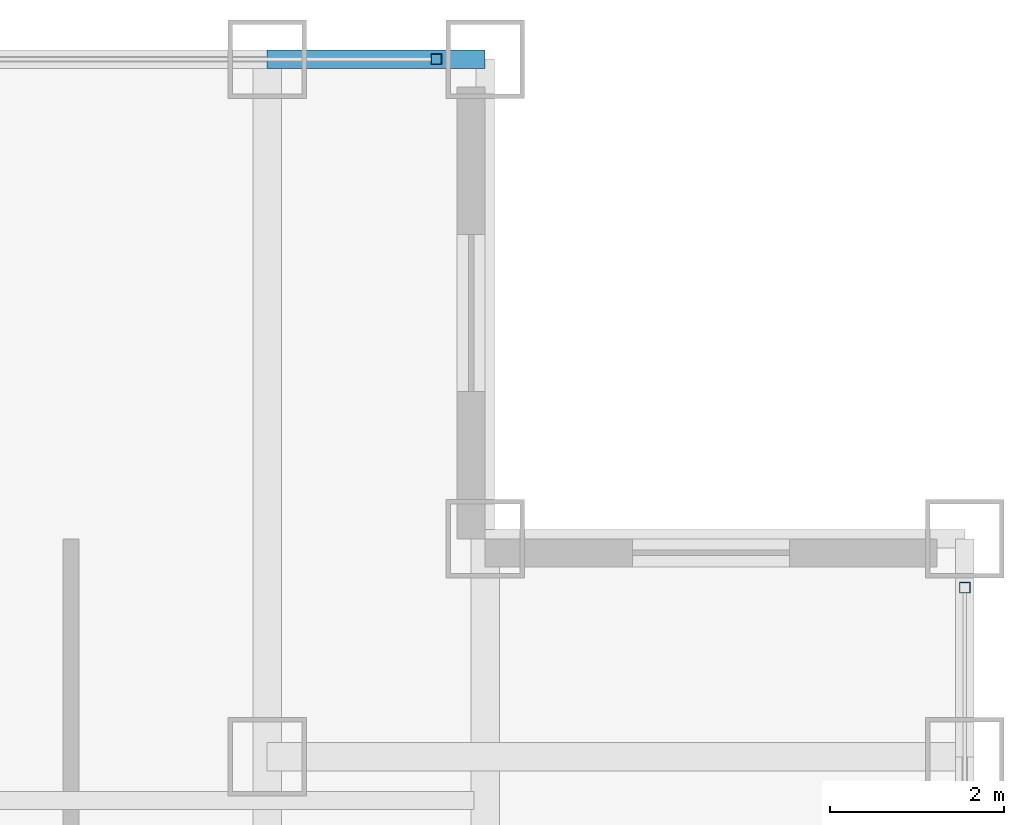
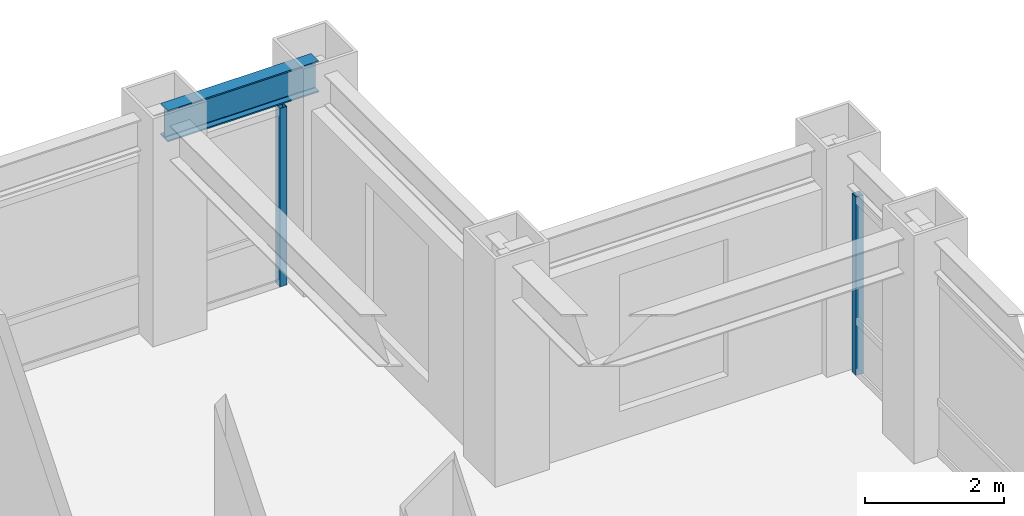
# One storey, part 16 of 22: 2 members, 1 beam, 2 elements without a shape of their own.
"""IFC4 building model written with IfcOpenShell, lengths in metres."""

from ifc_helpers import new_model, si_unit, direction, frame, origin, origin_2d, place, context, subcontext, project, spatial, hollow_rectangle, i_section, extrude, source, transform, mapped, material, material_profile, profile_set, type_object, element, aggregate, save


model = new_model("IFC4")

# Units and contexts
model_context = context("Model", 3, precision=1e-05, world=origin(), true_north=direction((0.0, 1.0)))
body_context = subcontext(model_context, "Body", "Model", "MODEL_VIEW")
ifc_project = project(units=[si_unit("LENGTHUNIT", "METRE"), si_unit("AREAUNIT", "SQUARE_METRE"), si_unit("VOLUMEUNIT", "CUBIC_METRE"), si_unit("PLANEANGLEUNIT", "RADIAN"), si_unit("MASSUNIT", "GRAM", prefix="KILO")], contexts=[model_context])

# Site, building, storey
site_placement = place(None, origin())
site = spatial("IfcSite", under=ifc_project, at=site_placement, CompositionType="ELEMENT")
building_placement = place(site_placement, origin())
building = spatial("IfcBuilding", under=site, at=building_placement, Name="Khorayat Bourse Tower", CompositionType="ELEMENT")
storey_placement = place(building_placement, frame((0.0, 0.0, 309.5)))
storey = spatial("IfcBuildingStorey", under=building, at=storey_placement, Name="L73", CompositionType="ELEMENT", Elevation=309.5)

# Beam
ifc_material_1 = material(Name="Steel ASTM A992 Grade 50", Category="steel")
ifc_material_profile_1 = material_profile(ifc_material_1, i_section(OverallWidth=0.214111328125, OverallDepth=0.549072265625, WebThickness=0.0146484375, FlangeThickness=0.023681640625, FilletRadius=0.013916015625, at=origin_2d()), Name="W530X138")
ifc_profile_set_1 = profile_set([ifc_material_profile_1], Name="Steel ASTM A992 Grade 50")
beam_type = type_object("IfcBeamType", Name="BM-SPAN-530", PredefinedType="SPANDREL", material=ifc_profile_set_1)
shared_shape_1 = source(origin(), body_context, "Body", "SweptSolid", [
    extrude(i_section(OverallWidth=0.214111328125, OverallDepth=0.549072265625, WebThickness=0.0146484375, FlangeThickness=0.023681640625, FilletRadius=0.013916015625, at=origin_2d()), origin(), (0.0, 0.0, 1.0), 2.5),
])
beam_placement = place(storey_placement, frame((20.0, 28.0, 3.505615234375), z_axis=(1.0, 0.0, 0.0), x_axis=(0.0, 1.0, 0.0)))
element("IfcBeam", 1, at=beam_placement, inside=storey, type_object=beam_type, Name="L73 BM-SPAN-530 BM-L73-SPN-044", PredefinedType="SPANDREL", context=body_context, shape_type="MappedRepresentation", body=[
    mapped(shared_shape_1, transform((0.0, 0.0, 0.0), scale=1.0)),
])

# Curtain wall, member
ifc_material_2 = material(Name="Aluminium EN AW-6063 T6", Category="aluminium")
curtain_wall_type = type_object("IfcCurtainWallType", Name="CW-SYS-04", PredefinedType="NOTDEFINED", material=ifc_material_2)
curtain_wall_1_placement = place(storey_placement, origin())
curtain_wall_1 = element("IfcCurtainWall", 2, at=curtain_wall_1_placement, inside=storey, type_object=curtain_wall_type, Name="L73 Curtain Wall CW-L73-N1", PredefinedType="NOTDEFINED")
ifc_material_profile_2 = material_profile(ifc_material_2, hollow_rectangle(XDim=0.1201171875, YDim=0.1201171875, WallThickness=0.0048828125, at=origin_2d()), Name="ALU 120x120x5")
ifc_profile_set_2 = profile_set([ifc_material_profile_2], Name="Aluminium EN AW-6063 T6")
member_type = type_object("IfcMemberType", Name="CWM-VERT-120", PredefinedType="MULLION", material=ifc_profile_set_2)
shared_shape_2 = source(origin(), body_context, "Body", "SweptSolid", [
    extrude(hollow_rectangle(XDim=0.1201171875, YDim=0.1201171875, WallThickness=0.0048828125, at=origin_2d()), origin(), (0.0, 0.0, 1.0), 3.1298828125),
])
member_1_placement = place(storey_placement, frame((21.93994140625, 28.0, 0.0), z_axis=(0.0, 0.0, 1.0), x_axis=(0.0, 1.0, 0.0)))
member_1 = element("IfcMember", 3, at=member_1_placement, type_object=member_type, Name="CW-L73-N1 Vertical Mullion 3", PredefinedType="MULLION", context=body_context, shape_type="MappedRepresentation", body=[
    mapped(shared_shape_2, transform((0.0, 0.0, 0.0), scale=1.0)),
])
aggregate(curtain_wall_1, [member_1])

curtain_wall_2_placement = place(storey_placement, origin())
curtain_wall_2 = element("IfcCurtainWall", 4, at=curtain_wall_2_placement, inside=storey, type_object=curtain_wall_type, Name="L73 Curtain Wall CW-L73-E1", PredefinedType="NOTDEFINED")
member_2_placement = place(storey_placement, frame((28.0, 21.93994140625, 0.0), z_axis=(0.0, 0.0, 1.0), x_axis=(-1.0, 0.0, 0.0)))
member_2 = element("IfcMember", 5, at=member_2_placement, type_object=member_type, Name="CW-L73-E1 Vertical Mullion 3", PredefinedType="MULLION", context=body_context, shape_type="MappedRepresentation", body=[
    mapped(shared_shape_2, transform((0.0, 0.0, 0.0), scale=1.0)),
])
aggregate(curtain_wall_2, [member_2])

save(model, "model.ifc")
